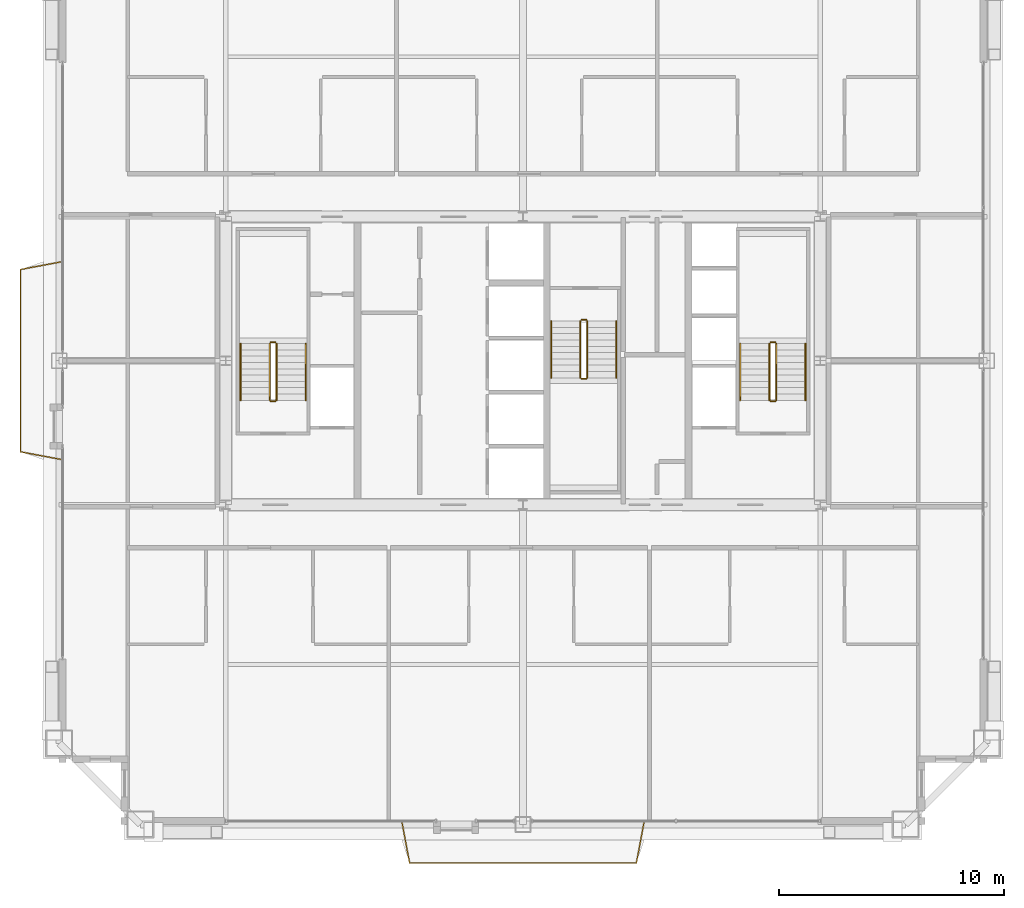
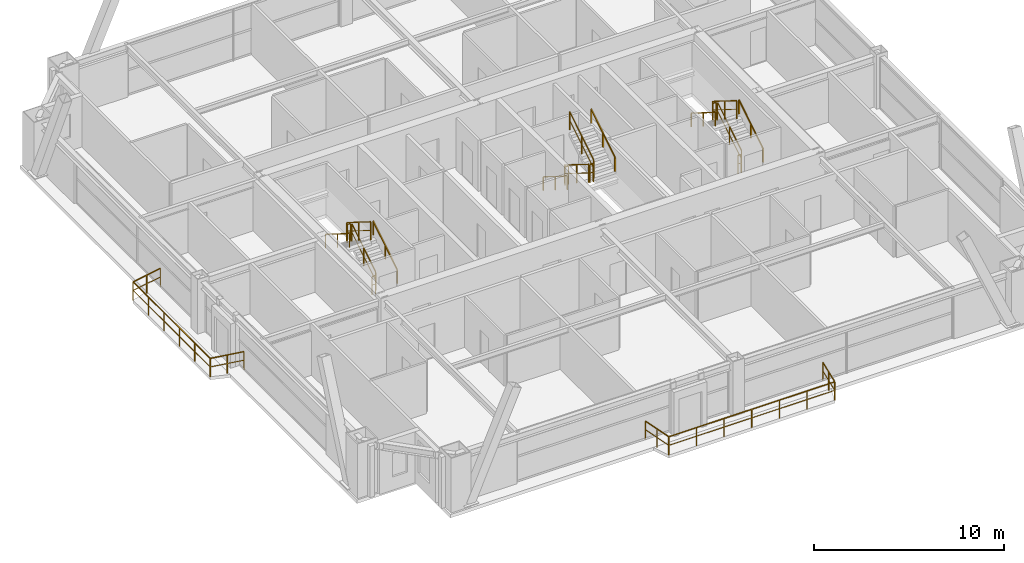
# One storey, part 33 of 33: 20 railings.
"""IFC4 building model written with IfcOpenShell, lengths in metres."""

from ifc_helpers import new_model, si_unit, direction, frame, origin, origin_2d, place, context, subcontext, project, spatial, rectangle, extrude, source, transform, mapped, material, layer, layer_set, type_object, element, save


model = new_model("IFC4")

# Units and contexts
model_context = context("Model", 3, precision=1e-05, world=origin(), true_north=direction((0.0, 1.0)))
body_context = subcontext(model_context, "Body", "Model", "MODEL_VIEW")
ifc_project = project(units=[si_unit("LENGTHUNIT", "METRE"), si_unit("AREAUNIT", "SQUARE_METRE"), si_unit("VOLUMEUNIT", "CUBIC_METRE"), si_unit("PLANEANGLEUNIT", "RADIAN"), si_unit("MASSUNIT", "GRAM", prefix="KILO"), si_unit("THERMODYNAMICTEMPERATUREUNIT", "KELVIN"), si_unit("POWERUNIT", "WATT")], contexts=[model_context])

# Site, building, storey
site_placement = place(None, origin())
site = spatial("IfcSite", under=ifc_project, at=site_placement, CompositionType="ELEMENT")
building_placement = place(site_placement, origin())
building = spatial("IfcBuilding", under=site, at=building_placement, Name="Yuzanri Waterfront Tower", CompositionType="ELEMENT")
storey_placement = place(building_placement, frame((0.0, 0.0, 234.60009765625)))
storey = spatial("IfcBuildingStorey", under=building, at=storey_placement, Name="L62", CompositionType="ELEMENT", Elevation=234.60009765625)

# Railings
ifc_material_1 = material(Name="Anodized Architectural Bronze", Category="metal")
ifc_layer_1 = layer(ifc_material_1, 0.080078125)
ifc_layer_set_1 = layer_set([ifc_layer_1], Name="Anodized Architectural Bronze")
railing_type_1 = type_object("IfcRailingType", Name="Laminated Glass and Bronze Balcony Guardrail 1200", PredefinedType="BALUSTRADE", material=ifc_layer_set_1)
shared_shape_1 = source(origin(), body_context, "Body", "SweptSolid", [
    extrude(rectangle(XDim=0.050048828125, YDim=0.050048828125, at=origin_2d()), frame((0.0, 0.0, 1.1748046875), z_axis=(0.18428853505, -0.982872186934, 0.0), x_axis=(0.982872186934, 0.18428853505, 0.0)), (0.0, 0.0, 1.0), 1.899658203125),
    extrude(rectangle(XDim=0.035888671875, YDim=0.030029296875, at=origin_2d()), frame((0.0, 0.0, 0.6240234375), z_axis=(0.18428853505, -0.982872186934, 0.0), x_axis=(0.982872186934, 0.18428853505, 0.0)), (0.0, 0.0, 1.0), 1.899658203125),
    extrude(rectangle(XDim=0.050048828125, YDim=0.050048828125, at=origin_2d()), frame((0.35009765625, -1.8671875, 1.1748046875), z_axis=(1.0, 0.0, 0.0), x_axis=(0.0, 1.0, 0.0)), (0.0, 0.0, 1.0), 10.07080078125),
    extrude(rectangle(XDim=0.035888671875, YDim=0.030029296875, at=origin_2d()), frame((0.35009765625, -1.8671875, 0.6240234375), z_axis=(1.0, 0.0, 0.0), x_axis=(0.0, 1.0, 0.0)), (0.0, 0.0, 1.0), 10.07080078125),
    extrude(rectangle(XDim=0.050048828125, YDim=0.050048828125, at=origin_2d()), frame((10.4208984375, -1.8671875, 1.1748046875), z_axis=(0.18428853505, 0.982872186934, 0.0), x_axis=(-0.982872186934, 0.18428853505, 0.0)), (0.0, 0.0, 1.0), 1.899658203125),
    extrude(rectangle(XDim=0.035888671875, YDim=0.030029296875, at=origin_2d()), frame((10.4208984375, -1.8671875, 0.6240234375), z_axis=(0.18428853505, 0.982872186934, 0.0), x_axis=(-0.982872186934, 0.18428853505, 0.0)), (0.0, 0.0, 1.0), 1.899658203125),
    extrude(rectangle(XDim=0.0458984375, YDim=0.0458984375, at=origin_2d()), origin(), (0.0, 0.0, 1.0), 1.14990234375),
    extrude(rectangle(XDim=0.0458984375, YDim=0.0458984375, at=origin_2d()), frame((0.175048828125, -0.93359375, 0.0)), (0.0, 0.0, 1.0), 1.14990234375),
    extrude(rectangle(XDim=0.0458984375, YDim=0.0458984375, at=origin_2d()), frame((0.35009765625, -1.8671875, 0.0)), (0.0, 0.0, 1.0), 1.14990234375),
    extrude(rectangle(XDim=0.0458984375, YDim=0.0458984375, at=origin_2d()), frame((2.028564453125, -1.8671875, 0.0)), (0.0, 0.0, 1.0), 1.14990234375),
    extrude(rectangle(XDim=0.0458984375, YDim=0.0458984375, at=origin_2d()), frame((3.70703125, -1.8671875, 0.0)), (0.0, 0.0, 1.0), 1.14990234375),
    extrude(rectangle(XDim=0.0458984375, YDim=0.0458984375, at=origin_2d()), frame((5.385498046875, -1.8671875, 0.0)), (0.0, 0.0, 1.0), 1.14990234375),
    extrude(rectangle(XDim=0.0458984375, YDim=0.0458984375, at=origin_2d()), frame((7.06396484375, -1.8671875, 0.0)), (0.0, 0.0, 1.0), 1.14990234375),
    extrude(rectangle(XDim=0.0458984375, YDim=0.0458984375, at=origin_2d()), frame((8.742431640625, -1.8671875, 0.0)), (0.0, 0.0, 1.0), 1.14990234375),
    extrude(rectangle(XDim=0.0458984375, YDim=0.0458984375, at=origin_2d()), frame((10.4208984375, -1.8671875, 0.0)), (0.0, 0.0, 1.0), 1.14990234375),
    extrude(rectangle(XDim=0.0458984375, YDim=0.0458984375, at=origin_2d()), frame((10.595947265625, -0.93359375, 0.0)), (0.0, 0.0, 1.0), 1.14990234375),
    extrude(rectangle(XDim=0.0458984375, YDim=0.0458984375, at=origin_2d()), frame((10.77099609375, 0.0, 0.0)), (0.0, 0.0, 1.0), 1.14990234375),
])
railing_1_placement = place(storey_placement, frame((31.614501953125, 5.35009765625, 0.0)))
element("IfcRailing", 1, at=railing_1_placement, inside=storey, type_object=railing_type_1, Name="L62 S Engawa Terrace Guardrail", PredefinedType="BALUSTRADE", context=body_context, shape_type="MappedRepresentation", body=[
    mapped(shared_shape_1, transform((0.0, 0.0, 0.0), scale=1.0)),
])
shared_shape_2 = source(origin(), body_context, "Body", "SweptSolid", [
    extrude(rectangle(XDim=0.050048828125, YDim=0.050048828125, at=origin_2d()), frame((0.0, 0.0, 1.1748046875), z_axis=(-0.982867821494, 0.184311815878, 0.0), x_axis=(-0.184311815878, -0.982867821494, 0.0)), (0.0, 0.0, 1.0), 1.8994140625),
    extrude(rectangle(XDim=0.035888671875, YDim=0.030029296875, at=origin_2d()), frame((0.0, 0.0, 0.6240234375), z_axis=(-0.982867821494, 0.184311815878, 0.0), x_axis=(-0.184311815878, -0.982867821494, 0.0)), (0.0, 0.0, 1.0), 1.8994140625),
    extrude(rectangle(XDim=0.050048828125, YDim=0.050048828125, at=origin_2d()), frame((-1.866943359375, 0.35009765625, 1.1748046875), z_axis=(0.0, 1.0, 0.0), x_axis=(-1.0, 0.0, 0.0)), (0.0, 0.0, 1.0), 8.10009765625),
    extrude(rectangle(XDim=0.035888671875, YDim=0.030029296875, at=origin_2d()), frame((-1.866943359375, 0.35009765625, 0.6240234375), z_axis=(0.0, 1.0, 0.0), x_axis=(-1.0, 0.0, 0.0)), (0.0, 0.0, 1.0), 8.10009765625),
    extrude(rectangle(XDim=0.050048828125, YDim=0.050048828125, at=origin_2d()), frame((-1.866943359375, 8.4501953125, 1.1748046875), z_axis=(0.982891097919, 0.184187647877, 0.0), x_axis=(-0.184187647877, 0.982891097919, 0.0)), (0.0, 0.0, 1.0), 1.8994140625),
    extrude(rectangle(XDim=0.035888671875, YDim=0.030029296875, at=origin_2d()), frame((-1.866943359375, 8.4501953125, 0.6240234375), z_axis=(0.982891097919, 0.184187647877, 0.0), x_axis=(-0.184187647877, 0.982891097919, 0.0)), (0.0, 0.0, 1.0), 1.8994140625),
    extrude(rectangle(XDim=0.0458984375, YDim=0.0458984375, at=origin_2d()), origin(), (0.0, 0.0, 1.0), 1.14990234375),
    extrude(rectangle(XDim=0.0458984375, YDim=0.0458984375, at=origin_2d()), frame((-0.93359375, 0.175048828125, 0.0)), (0.0, 0.0, 1.0), 1.14990234375),
    extrude(rectangle(XDim=0.0458984375, YDim=0.0458984375, at=origin_2d()), frame((-1.866943359375, 0.35009765625, 0.0)), (0.0, 0.0, 1.0), 1.14990234375),
    extrude(rectangle(XDim=0.0458984375, YDim=0.0458984375, at=origin_2d()), frame((-1.866943359375, 1.97021484375, 0.0)), (0.0, 0.0, 1.0), 1.14990234375),
    extrude(rectangle(XDim=0.0458984375, YDim=0.0458984375, at=origin_2d()), frame((-1.866943359375, 3.590087890625, 0.0)), (0.0, 0.0, 1.0), 1.14990234375),
    extrude(rectangle(XDim=0.0458984375, YDim=0.0458984375, at=origin_2d()), frame((-1.866943359375, 5.210205078125, 0.0)), (0.0, 0.0, 1.0), 1.14990234375),
    extrude(rectangle(XDim=0.0458984375, YDim=0.0458984375, at=origin_2d()), frame((-1.866943359375, 6.830078125, 0.0)), (0.0, 0.0, 1.0), 1.14990234375),
    extrude(rectangle(XDim=0.0458984375, YDim=0.0458984375, at=origin_2d()), frame((-1.866943359375, 8.4501953125, 0.0)), (0.0, 0.0, 1.0), 1.14990234375),
    extrude(rectangle(XDim=0.0458984375, YDim=0.0458984375, at=origin_2d()), frame((-0.93359375, 8.625, 0.0)), (0.0, 0.0, 1.0), 1.14990234375),
    extrude(rectangle(XDim=0.0458984375, YDim=0.0458984375, at=origin_2d()), frame((0.0, 8.800048828125, 0.0)), (0.0, 0.0, 1.0), 1.14990234375),
])
railing_2_placement = place(storey_placement, frame((16.550048828125, 21.39990234375, 0.0)))
element("IfcRailing", 2, at=railing_2_placement, inside=storey, type_object=railing_type_1, Name="L62 W Engawa Terrace Guardrail", PredefinedType="BALUSTRADE", context=body_context, shape_type="MappedRepresentation", body=[
    mapped(shared_shape_2, transform((0.0, 0.0, 0.0), scale=1.0)),
])
ifc_material_2 = material(Name="Painted Galvanized Fire Steel", Category="steel")
ifc_layer_2 = layer(ifc_material_2, 0.06005859375)
ifc_layer_set_2 = layer_set([ifc_layer_2], Name="Painted Galvanized Fire Steel")
railing_type_2 = type_object("IfcRailingType", Name="Painted Steel Stairwell Guardrail 1120", PredefinedType="GUARDRAIL", material=ifc_layer_set_2)
shared_shape_3 = source(origin(), body_context, "Body", "SweptSolid", [
    extrude(rectangle(XDim=0.050048828125, YDim=0.050048828125, at=origin_2d()), frame((0.0, 0.0, 1.1748046875), z_axis=(-1.0, 0.0, 0.0), x_axis=(0.0, -1.0, 0.0)), (0.0, 0.0, 1.0), 0.199951171875),
    extrude(rectangle(XDim=0.035888671875, YDim=0.030029296875, at=origin_2d()), frame((0.0, 0.0, 0.6240234375), z_axis=(-1.0, 0.0, 0.0), x_axis=(0.0, -1.0, 0.0)), (0.0, 0.0, 1.0), 0.199951171875),
    extrude(rectangle(XDim=0.0458984375, YDim=0.0458984375, at=origin_2d()), origin(), (0.0, 0.0, 1.0), 1.14990234375),
    extrude(rectangle(XDim=0.0458984375, YDim=0.0458984375, at=origin_2d()), frame((-0.199951171875, 0.0, 0.0)), (0.0, 0.0, 1.0), 1.14990234375),
])
for number, where, name in (
    (3, (26.0, 26.610107421875, 1.75), "L62 ST-01 stair guard 2"),
    (4, (26.0, 23.989990234375, 0.0), "L62 ST-01 stair guard 4"),
    (5, (48.199951171875, 26.610107421875, 1.75), "L62 ST-02 stair guard 2"),
    (6, (48.199951171875, 23.989990234375, 0.0), "L62 ST-02 stair guard 4"),
):
    element("IfcRailing", number, at=place(storey_placement, frame(where)), inside=storey, type_object=railing_type_2, Name=name, PredefinedType="GUARDRAIL", context=body_context, shape_type="MappedRepresentation", body=[
        mapped(shared_shape_3, transform((0.0, 0.0, 0.0), scale=1.0)),
    ])
shared_shape_4 = source(origin(), body_context, "Body", "SweptSolid", [
    extrude(rectangle(XDim=0.050048828125, YDim=0.050048828125, at=origin_2d()), frame((0.0, 0.0, 1.1748046875), z_axis=(0.0, 0.847970611238, 0.530043245855), x_axis=(-1.0, 0.0, 0.0)), (0.0, 0.0, 1.0), 2.971923828125),
    extrude(rectangle(XDim=0.035888671875, YDim=0.030029296875, at=origin_2d()), frame((0.0, 0.0, 0.6240234375), z_axis=(0.0, 0.847970611238, 0.530043245855), x_axis=(-1.0, 0.0, 0.0)), (0.0, 0.0, 1.0), 2.971923828125),
    extrude(rectangle(XDim=0.0458984375, YDim=0.0458984375, at=origin_2d()), origin(), (0.0, 0.0, 1.0), 1.14990234375),
    extrude(rectangle(XDim=0.0458984375, YDim=0.0458984375, at=origin_2d()), frame((0.0, 1.260009765625, 0.78759765625)), (0.0, 0.0, 1.0), 1.14990234375),
    extrude(rectangle(XDim=0.0458984375, YDim=0.0458984375, at=origin_2d()), frame((0.0, 2.52001953125, 1.5751953125)), (0.0, 0.0, 1.0), 1.14990234375),
])
for number, where, name in (
    (7, (26.050048828125, 24.0400390625, 0.1748046875), "L62 ST-01 stair guard 1"),
    (8, (48.25, 24.0400390625, 0.1748046875), "L62 ST-02 stair guard 1"),
    (9, (39.85009765625, 25.0400390625, 1.9248046875), "L62 ST-03 stair guard 3"),
):
    element("IfcRailing", number, at=place(storey_placement, frame(where)), inside=storey, type_object=railing_type_2, Name=name, PredefinedType="GUARDRAIL", context=body_context, shape_type="MappedRepresentation", body=[
        mapped(shared_shape_4, transform((0.0, 0.0, 0.0), scale=1.0)),
    ])
shared_shape_5 = source(origin(), body_context, "Body", "SweptSolid", [
    extrude(rectangle(XDim=0.050048828125, YDim=0.050048828125, at=origin_2d()), frame((0.0, 0.0, 1.1748046875), z_axis=(0.0, -0.847970611238, 0.530043245855), x_axis=(1.0, 0.0, 0.0)), (0.0, 0.0, 1.0), 2.971923828125),
    extrude(rectangle(XDim=0.035888671875, YDim=0.030029296875, at=origin_2d()), frame((0.0, 0.0, 0.6240234375), z_axis=(0.0, -0.847970611238, 0.530043245855), x_axis=(1.0, 0.0, 0.0)), (0.0, 0.0, 1.0), 2.971923828125),
    extrude(rectangle(XDim=0.0458984375, YDim=0.0458984375, at=origin_2d()), origin(), (0.0, 0.0, 1.0), 1.14990234375),
    extrude(rectangle(XDim=0.0458984375, YDim=0.0458984375, at=origin_2d()), frame((0.0, -1.260009765625, 0.78759765625)), (0.0, 0.0, 1.0), 1.14990234375),
    extrude(rectangle(XDim=0.0458984375, YDim=0.0458984375, at=origin_2d()), frame((0.0, -2.52001953125, 1.5751953125)), (0.0, 0.0, 1.0), 1.14990234375),
])
for number, where, name in (
    (10, (25.75, 26.56005859375, 1.9248046875), "L62 ST-01 stair guard 3"),
    (11, (47.949951171875, 26.56005859375, 1.9248046875), "L62 ST-02 stair guard 3"),
    (12, (39.550048828125, 27.56005859375, 0.1748046875), "L62 ST-03 stair guard 1"),
):
    element("IfcRailing", number, at=place(storey_placement, frame(where)), inside=storey, type_object=railing_type_2, Name=name, PredefinedType="GUARDRAIL", context=body_context, shape_type="MappedRepresentation", body=[
        mapped(shared_shape_5, transform((0.0, 0.0, 0.0), scale=1.0)),
    ])
ifc_material_3 = material(Name="Anodized Architectural Bronze", Category="metal")
ifc_layer_3 = layer(ifc_material_3, 0.050048828125)
ifc_layer_set_3 = layer_set([ifc_layer_3], Name="Anodized Architectural Bronze")
railing_type_3 = type_object("IfcRailingType", Name="Brushed Bronze Stair Pitch Handrail 920", PredefinedType="HANDRAIL", material=ifc_layer_set_3)
shared_shape_6 = source(origin(), body_context, "Body", "SweptSolid", [
    extrude(rectangle(XDim=0.050048828125, YDim=0.050048828125, at=origin_2d()), frame((0.0, 0.0, 0.875), z_axis=(0.0, 0.847970611238, 0.530043245855), x_axis=(-1.0, 0.0, 0.0)), (0.0, 0.0, 1.0), 2.971923828125),
    extrude(rectangle(XDim=0.0458984375, YDim=0.0458984375, at=origin_2d()), origin(), (0.0, 0.0, 1.0), 0.849853515625),
    extrude(rectangle(XDim=0.0458984375, YDim=0.0458984375, at=origin_2d()), frame((0.0, 1.260009765625, 0.78759765625)), (0.0, 0.0, 1.0), 0.849853515625),
    extrude(rectangle(XDim=0.0458984375, YDim=0.0458984375, at=origin_2d()), frame((0.0, 2.52001953125, 1.5751953125)), (0.0, 0.0, 1.0), 0.849853515625),
])
for number, where, name in (
    (13, (27.35009765625, 24.0400390625, 0.1748046875), "L62 ST-01 stair handrail 1"),
    (14, (49.550048828125, 24.0400390625, 0.1748046875), "L62 ST-02 stair handrail 1"),
    (15, (41.14990234375, 25.0400390625, 1.9248046875), "L62 ST-03 stair handrail 2"),
):
    element("IfcRailing", number, at=place(storey_placement, frame(where)), inside=storey, type_object=railing_type_3, Name=name, PredefinedType="HANDRAIL", context=body_context, shape_type="MappedRepresentation", body=[
        mapped(shared_shape_6, transform((0.0, 0.0, 0.0), scale=1.0)),
    ])
shared_shape_7 = source(origin(), body_context, "Body", "SweptSolid", [
    extrude(rectangle(XDim=0.050048828125, YDim=0.050048828125, at=origin_2d()), frame((0.0, 0.0, 0.875), z_axis=(0.0, -0.847970611238, 0.530043245855), x_axis=(1.0, 0.0, 0.0)), (0.0, 0.0, 1.0), 2.971923828125),
    extrude(rectangle(XDim=0.0458984375, YDim=0.0458984375, at=origin_2d()), origin(), (0.0, 0.0, 1.0), 0.849853515625),
    extrude(rectangle(XDim=0.0458984375, YDim=0.0458984375, at=origin_2d()), frame((0.0, -1.260009765625, 0.78759765625)), (0.0, 0.0, 1.0), 0.849853515625),
    extrude(rectangle(XDim=0.0458984375, YDim=0.0458984375, at=origin_2d()), frame((0.0, -2.52001953125, 1.5751953125)), (0.0, 0.0, 1.0), 0.849853515625),
])
for number, where, name in (
    (16, (24.449951171875, 26.56005859375, 1.9248046875), "L62 ST-01 stair handrail 2"),
    (17, (46.64990234375, 26.56005859375, 1.9248046875), "L62 ST-02 stair handrail 2"),
    (18, (38.25, 27.56005859375, 0.1748046875), "L62 ST-03 stair handrail 1"),
):
    element("IfcRailing", number, at=place(storey_placement, frame(where)), inside=storey, type_object=railing_type_3, Name=name, PredefinedType="HANDRAIL", context=body_context, shape_type="MappedRepresentation", body=[
        mapped(shared_shape_7, transform((0.0, 0.0, 0.0), scale=1.0)),
    ])
shared_shape_8 = source(origin(), body_context, "Body", "SweptSolid", [
    extrude(rectangle(XDim=0.050048828125, YDim=0.050048828125, at=origin_2d()), frame((0.0, 0.0, 1.1748046875), z_axis=(1.0, 0.0, 0.0), x_axis=(0.0, 1.0, 0.0)), (0.0, 0.0, 1.0), 0.199951171875),
    extrude(rectangle(XDim=0.035888671875, YDim=0.030029296875, at=origin_2d()), frame((0.0, 0.0, 0.6240234375), z_axis=(1.0, 0.0, 0.0), x_axis=(0.0, 1.0, 0.0)), (0.0, 0.0, 1.0), 0.199951171875),
    extrude(rectangle(XDim=0.0458984375, YDim=0.0458984375, at=origin_2d()), origin(), (0.0, 0.0, 1.0), 1.14990234375),
    extrude(rectangle(XDim=0.0458984375, YDim=0.0458984375, at=origin_2d()), frame((0.199951171875, 0.0, 0.0)), (0.0, 0.0, 1.0), 1.14990234375),
])
for number, where, name in (
    (19, (39.60009765625, 24.989990234375, 1.75), "L62 ST-03 stair guard 2"),
    (20, (39.60009765625, 27.610107421875, 0.0), "L62 ST-03 stair guard 4"),
):
    element("IfcRailing", number, at=place(storey_placement, frame(where)), inside=storey, type_object=railing_type_2, Name=name, PredefinedType="GUARDRAIL", context=body_context, shape_type="MappedRepresentation", body=[
        mapped(shared_shape_8, transform((0.0, 0.0, 0.0), scale=1.0)),
    ])

save(model, "model.ifc")
